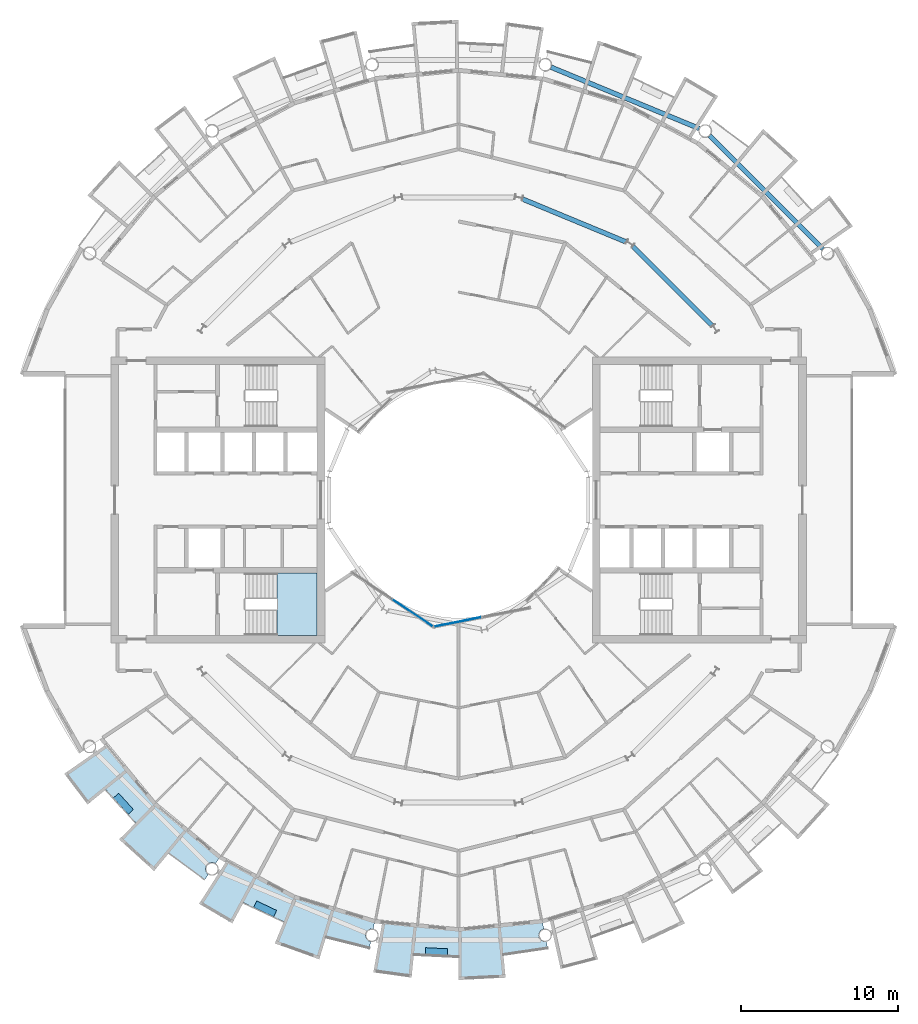
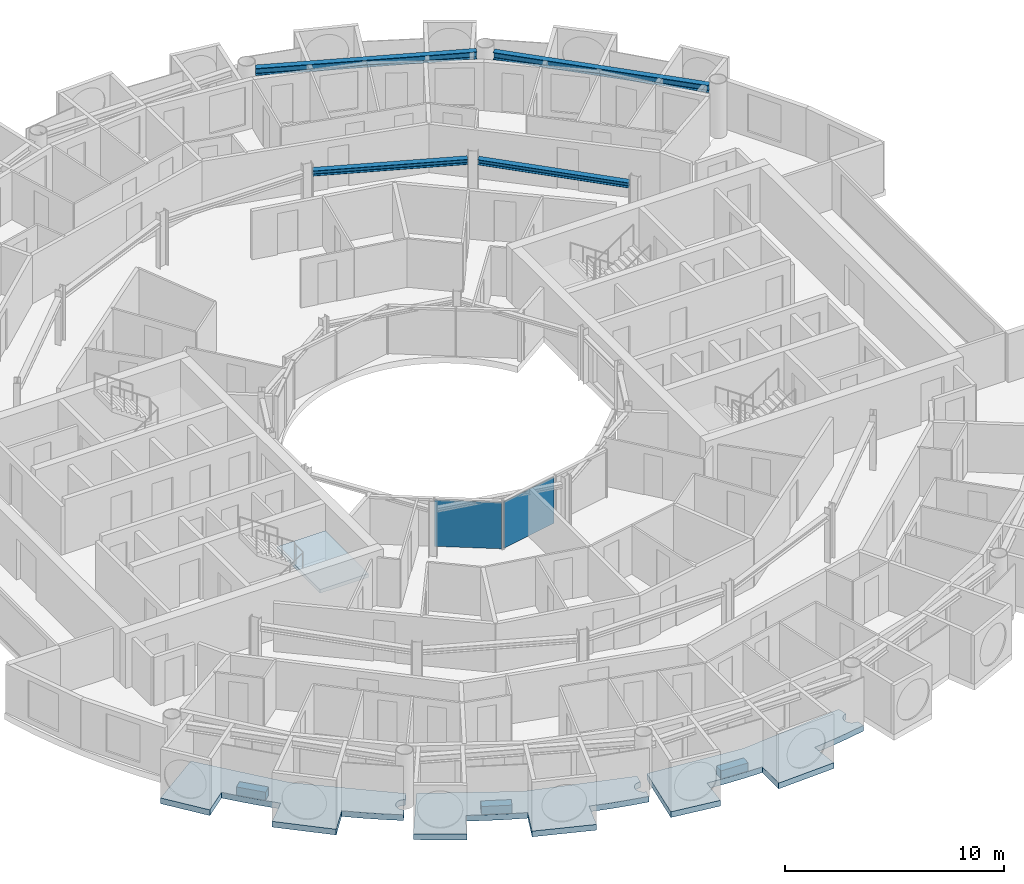
# One storey, part 10 of 26: 7 slabs, 4 beams, 2 plates, 3 elements without a shape of their own.
"""IFC4 building model written with IfcOpenShell, lengths in metres."""

from ifc_helpers import new_model, si_unit, direction, frame, origin, origin_2d, place, context, subcontext, project, spatial, polyline, rectangle, i_section, outline, extrude, material, layer, layer_set, material_profile, profile_set, type_object, element, aggregate, save


model = new_model("IFC4")

# Units and contexts
model_context = context("Model", 3, precision=1e-05, world=origin(), true_north=direction((0.0, 1.0)))
body_context = subcontext(model_context, "Body", "Model", "MODEL_VIEW")
ifc_project = project(units=[si_unit("LENGTHUNIT", "METRE"), si_unit("AREAUNIT", "SQUARE_METRE"), si_unit("VOLUMEUNIT", "CUBIC_METRE"), si_unit("PLANEANGLEUNIT", "RADIAN"), si_unit("MASSUNIT", "GRAM", prefix="KILO")], contexts=[model_context])

# Site, building, storey
site_placement = place(None, origin())
site = spatial("IfcSite", under=ifc_project, at=site_placement, CompositionType="ELEMENT")
building_placement = place(site_placement, origin())
building = spatial("IfcBuilding", under=site, at=building_placement, Name="Maasbend Ring Residences", CompositionType="ELEMENT")
storey_placement = place(building_placement, frame((0.0, 0.0, 161.60009765625)))
storey = spatial("IfcBuildingStorey", under=building, at=storey_placement, Name="L46", CompositionType="ELEMENT", Elevation=161.60009765625)

# Beams
ifc_material_1 = material(Name="Steel S355J2", Category="steel")
ifc_material_profile_1 = material_profile(ifc_material_1, i_section(OverallWidth=0.300048828125, OverallDepth=0.2900390625, WebThickness=0.008544921875, FlangeThickness=0.013916015625, FilletRadius=0.027099609375, at=origin_2d()), Name="HEA 300")
ifc_profile_set_1 = profile_set([ifc_material_profile_1], Name="Steel S355J2")
beam_type_1 = type_object("IfcBeamType", Name="Corridor ring beam HEA 300", PredefinedType="BEAM", material=ifc_profile_set_1)
for number, where, z_axis, x_axis, name in (
    (1, (16.11669921875, 11.0693359375, 2.554931640625), (-0.707106781187, 0.707106781187, 0.0), (-0.707106781187, -0.707106781187, 0.0), "Corridor ring beam"),
    (2, (10.65380859375, 16.394287109375, 2.554931640625), (-0.923871339849, 0.382703210602, 0.0), (-0.382703210602, -0.923871339849, 0.0), "Corridor ring beam"),
):
    element("IfcBeam", number, at=place(storey_placement, frame(where, z_axis=z_axis, x_axis=x_axis)), inside=storey, type_object=beam_type_1, Name=name, PredefinedType="BEAM", context=body_context, shape_type="SweptSolid", body=[
        extrude(i_section(OverallWidth=0.300048828125, OverallDepth=0.2900390625, WebThickness=0.008544921875, FlangeThickness=0.013916015625, FilletRadius=0.027099609375, at=origin_2d()), origin(), (0.0, 0.0, 1.0), 7.137939453125),
    ])
ifc_material_2 = material(Name="Steel S355J2", Category="steel")
ifc_material_profile_2 = material_profile(ifc_material_2, i_section(OverallWidth=0.300048828125, OverallDepth=0.39990234375, WebThickness=0.013427734375, FlangeThickness=0.02392578125, FilletRadius=0.027099609375, at=origin_2d()), Name="HEB 400")
ifc_profile_set_2 = profile_set([ifc_material_profile_2], Name="Steel S355J2")
beam_type_2 = type_object("IfcBeamType", Name="Spandrel ring beam HEB 400", PredefinedType="SPANDREL", material=ifc_profile_set_2)
for number, where, z_axis, x_axis, name in (
    (3, (23.159912109375, 15.95458984375, 2.5), (-0.707106781187, 0.707106781187, 0.0), (-0.707106781187, -0.707106781187, 0.0), "Spandrel ring beam"),
    (4, (15.29150390625, 23.60302734375, 2.5), (-0.923883676188, 0.382673428492, 0.0), (-0.382673428492, -0.923883676188, 0.0), "Spandrel ring beam"),
):
    element("IfcBeam", number, at=place(storey_placement, frame(where, z_axis=z_axis, x_axis=x_axis)), inside=storey, type_object=beam_type_2, Name=name, PredefinedType="SPANDREL", context=body_context, shape_type="SweptSolid", body=[
        extrude(i_section(OverallWidth=0.300048828125, OverallDepth=0.39990234375, WebThickness=0.013427734375, FlangeThickness=0.02392578125, FilletRadius=0.027099609375, at=origin_2d()), origin(), (0.0, 0.0, 1.0), 10.18994140625),
    ])

# Stair, slab
ifc_material_3 = material(Name="Concrete C40/50", Category="concrete")
stair_type = type_object("IfcStairType", Name="CORE STAIR 18 RISERS", PredefinedType="HALF_TURN_STAIR", material=ifc_material_3)
stair_placement = place(storey_placement, origin())
stair = element("IfcStair", 5, at=stair_placement, inside=storey, type_object=stair_type, Name="L46 Exit stair ST-W1", PredefinedType="HALF_TURN_STAIR")
ifc_material_4 = material(Name="Concrete C40/50", Category="concrete")
ifc_layer_1 = layer(ifc_material_4, 0.199951171875)
ifc_layer_set_1 = layer_set([ifc_layer_1], Name="Concrete C40/50")
slab_type_1 = type_object("IfcSlabType", Name="CORE STAIR LANDING 200", PredefinedType="LANDING", material=ifc_layer_set_1)
slab_1_placement = place(storey_placement, frame((0.0, 0.0, 1.324951171875)))
slab_1 = element("IfcSlab", 6, at=slab_1_placement, type_object=slab_type_1, Name="ST-W1 landing 1", PredefinedType="LANDING", context=body_context, shape_type="SweptSolid", body=[
    extrude(outline(polyline([(-11.550048828125, -8.60009765625), (-9.0, -8.60009765625), (-9.0, -4.64990234375), (-11.550048828125, -4.64990234375), (-11.550048828125, -8.60009765625)])), origin(), (0.0, 0.0, 1.0), 0.199951171875),
])
aggregate(stair, [slab_1])

# Curtain wall, plate
ifc_material_5 = material(Name="Aluminium and clear glass", Category="aluminium")
ifc_layer_2 = layer(ifc_material_5, 0.179931640625)
ifc_layer_set_2 = layer_set([ifc_layer_2], Name="CW-W")
curtain_wall_type = type_object("IfcCurtainWallType", Name="CW-W", PredefinedType="NOTDEFINED", material=ifc_layer_set_2)
curtain_wall_1_placement = place(storey_placement, origin())
curtain_wall_1 = element("IfcCurtainWall", 7, at=curtain_wall_1_placement, inside=storey, type_object=curtain_wall_type, Name="Well curtain wall S1", PredefinedType="NOTDEFINED")
ifc_material_6 = material(Name="Glass clear laminated", Category="glass")
ifc_layer_3 = layer(ifc_material_6, 0.031982421875)
ifc_layer_set_3 = layer_set([ifc_layer_3], Name="CWP-W")
plate_type = type_object("IfcPlateType", Name="CWP-W", PredefinedType="CURTAIN_PANEL", material=ifc_layer_set_3)
plate_1_placement = place(storey_placement, frame((-2.922119140625, -7.17578125, -0.000244140625), z_axis=(0.0, 0.0, 1.0), x_axis=(0.831469612303, -0.55557023302, 0.0)))
plate_1 = element("IfcPlate", 8, at=plate_1_placement, type_object=plate_type, Name="Glass panel well face", PredefinedType="CURTAIN_PANEL", context=body_context, shape_type="SweptSolid", body=[
    extrude(rectangle(XDim=3.053955078125, YDim=0.031982421875, at=origin_2d()), origin(), (0.0, 0.0, 1.0), 2.580078125),
])
aggregate(curtain_wall_1, [plate_1])

curtain_wall_2_placement = place(storey_placement, origin())
curtain_wall_2 = element("IfcCurtainWall", 9, at=curtain_wall_2_placement, inside=storey, type_object=curtain_wall_type, Name="Well curtain wall S2", PredefinedType="NOTDEFINED")
plate_2_placement = place(storey_placement, frame((-0.04638671875, -7.747802734375, -0.000244140625), z_axis=(0.0, 0.0, 1.0), x_axis=(0.980785280403, 0.195090322016, 0.0)))
plate_2 = element("IfcPlate", 10, at=plate_2_placement, type_object=plate_type, Name="Glass panel well face", PredefinedType="CURTAIN_PANEL", context=body_context, shape_type="SweptSolid", body=[
    extrude(rectangle(XDim=3.053955078125, YDim=0.031982421875, at=origin_2d()), origin(), (0.0, 0.0, 1.0), 2.580078125),
])
aggregate(curtain_wall_2, [plate_2])

# Slabs
ifc_material_7 = material(Name="Planting with climbing greenery")
ifc_layer_4 = layer(ifc_material_7, 0.449951171875)
ifc_layer_set_4 = layer_set([ifc_layer_4], Name="PLANTER-LG")
slab_type_2 = type_object("IfcSlabType", Name="PLANTER-LG", PredefinedType="USERDEFINED", material=ifc_layer_set_4)
slab_2_placement = place(storey_placement, frame((0.0, 0.0, -0.030029296875)))
element("IfcSlab", 11, at=slab_2_placement, inside=storey, type_object=slab_type_2, Name="Planter with climbing greenery 1", ObjectType="PLANTER", PredefinedType="USERDEFINED", context=body_context, shape_type="SweptSolid", body=[
    extrude(outline(polyline([(-21.931884765625, -18.93310546875), (-20.991943359375, -19.969970703125), (-20.657958984375, -19.66796875), (-21.597900390625, -18.631103515625), (-21.931884765625, -18.93310546875)])), origin(), (0.0, 0.0, 1.0), 0.449951171875),
])
slab_3_placement = place(storey_placement, frame((0.0, 0.0, -0.030029296875)))
element("IfcSlab", 12, at=slab_3_placement, inside=storey, type_object=slab_type_2, Name="Planter with climbing greenery 2", ObjectType="PLANTER", PredefinedType="USERDEFINED", context=body_context, shape_type="SweptSolid", body=[
    extrude(outline(polyline([(-13.01708984375, -25.885009765625), (-11.7509765625, -26.48291015625), (-11.55908203125, -26.076904296875), (-12.824951171875, -25.47802734375), (-13.01708984375, -25.885009765625)])), origin(), (0.0, 0.0, 1.0), 0.449951171875),
])
slab_4_placement = place(storey_placement, frame((0.0, 0.0, -0.030029296875)))
element("IfcSlab", 13, at=slab_4_placement, inside=storey, type_object=slab_type_2, Name="Planter with climbing greenery 3", ObjectType="PLANTER", PredefinedType="USERDEFINED", context=body_context, shape_type="SweptSolid", body=[
    extrude(outline(polyline([(-2.1201171875, -28.89599609375), (-0.721923828125, -28.965087890625), (-0.699951171875, -28.514892578125), (-2.097900390625, -28.446044921875), (-2.1201171875, -28.89599609375)])), origin(), (0.0, 0.0, 1.0), 0.449951171875),
])
ifc_material_8 = material(Name="Concrete C40/50", Category="concrete")
ifc_layer_5 = layer(ifc_material_8, 0.199951171875)
ifc_layer_set_5 = layer_set([ifc_layer_5], Name="Concrete C40/50")
slab_type_3 = type_object("IfcSlabType", Name="SL-LOGGIA", PredefinedType="FLOOR", material=ifc_layer_set_5)
slab_5_placement = place(storey_placement, frame((0.0, 0.0, -0.35009765625)))
element("IfcSlab", 14, at=slab_5_placement, inside=storey, type_object=slab_type_3, Name="Loggia floor 2", PredefinedType="FLOOR", context=body_context, shape_type="SweptSolid", body=[
    extrude(outline(polyline([(-12.806884765625, -23.9609375), (-10.447021484375, -25.221923828125), (-10.447021484375, -25.221923828125), (-10.447021484375, -25.221923828125), (-7.886962890625, -25.9990234375), (-5.325927734375, -26.77490234375), (-5.325927734375, -26.77490234375), (-5.325927734375, -26.77490234375), (-5.422119140625, -27.259033203125), (-5.431884765625, -27.258056640625), (-5.44189453125, -27.256103515625), (-5.451904296875, -27.2548828125), (-5.4619140625, -27.25390625), (-5.471923828125, -27.2529296875), (-5.48193359375, -27.251953125), (-5.491943359375, -27.251953125), (-5.501953125, -27.251953125), (-5.510986328125, -27.251953125), (-5.52099609375, -27.251953125), (-5.531005859375, -27.2529296875), (-5.541015625, -27.25390625), (-5.551025390625, -27.2548828125), (-5.56103515625, -27.256103515625), (-5.571044921875, -27.258056640625), (-5.5810546875, -27.259033203125), (-5.591064453125, -27.260986328125), (-5.60009765625, -27.263916015625), (-5.610107421875, -27.26611328125), (-5.6201171875, -27.26904296875), (-5.62890625, -27.27197265625), (-5.637939453125, -27.27490234375), (-5.64794921875, -27.279052734375), (-5.656982421875, -27.282958984375), (-5.666015625, -27.285888671875), (-5.675048828125, -27.291015625), (-5.68408203125, -27.294921875), (-5.693115234375, -27.300048828125), (-5.701904296875, -27.303955078125), (-5.7099609375, -27.30908203125), (-5.718994140625, -27.31494140625), (-5.72705078125, -27.320068359375), (-5.736083984375, -27.325927734375), (-5.743896484375, -27.33203125), (-5.751953125, -27.337890625), (-5.759033203125, -27.343994140625), (-5.76708984375, -27.35009765625), (-5.77392578125, -27.35693359375), (-5.781982421875, -27.364013671875), (-5.7890625, -27.37109375), (-5.7958984375, -27.3779296875), (-5.802978515625, -27.385009765625), (-5.80908203125, -27.39306640625), (-5.81591796875, -27.39990234375), (-5.822021484375, -27.407958984375), (-5.827880859375, -27.416015625), (-5.833984375, -27.424072265625), (-5.839111328125, -27.431884765625), (-5.844970703125, -27.44091796875), (-5.85009765625, -27.448974609375), (-5.85498046875, -27.4580078125), (-5.860107421875, -27.466064453125), (-5.864990234375, -27.47509765625), (-5.868896484375, -27.48388671875), (-5.873046875, -27.492919921875), (-5.876953125, -27.5029296875), (-5.881103515625, -27.511962890625), (-5.884033203125, -27.52099609375), (-5.886962890625, -27.531005859375), (-5.889892578125, -27.5400390625), (-5.89306640625, -27.550048828125), (-5.89599609375, -27.55908203125), (-5.89794921875, -27.569091796875), (-5.89990234375, -27.5791015625), (-5.902099609375, -27.589111328125), (-5.904052734375, -27.597900390625), (-5.905029296875, -27.60791015625), (-5.906005859375, -27.617919921875), (-5.906982421875, -27.6279296875), (-5.907958984375, -27.637939453125), (-5.907958984375, -27.64794921875), (-5.907958984375, -27.657958984375), (-5.907958984375, -27.66796875), (-5.907958984375, -27.677978515625), (-5.906982421875, -27.68798828125), (-5.906005859375, -27.697998046875), (-5.905029296875, -27.7080078125), (-5.904052734375, -27.718017578125), (-5.902099609375, -27.72802734375), (-5.89990234375, -27.737060546875), (-5.89794921875, -27.7470703125), (-5.89599609375, -27.757080078125), (-5.89306640625, -27.76708984375), (-5.889892578125, -27.77587890625), (-5.886962890625, -27.785888671875), (-5.884033203125, -27.794921875), (-5.881103515625, -27.803955078125), (-5.876953125, -27.81396484375), (-5.873046875, -27.822998046875), (-5.868896484375, -27.83203125), (-5.864990234375, -27.841064453125), (-5.860107421875, -27.85009765625), (-5.85498046875, -27.85791015625), (-5.85009765625, -27.866943359375), (-5.844970703125, -27.8759765625), (-5.839111328125, -27.884033203125), (-5.833984375, -27.89208984375), (-5.827880859375, -27.89990234375), (-5.822021484375, -27.907958984375), (-5.81591796875, -27.916015625), (-5.80908203125, -27.924072265625), (-5.802978515625, -27.930908203125), (-5.7958984375, -27.93798828125), (-5.7890625, -27.946044921875), (-5.781982421875, -27.952880859375), (-5.77392578125, -27.958984375), (-5.76708984375, -27.966064453125), (-5.759033203125, -27.971923828125), (-5.751953125, -27.97900390625), (-5.743896484375, -27.985107421875), (-5.736083984375, -27.989990234375), (-5.72705078125, -27.99609375), (-5.718994140625, -28.001953125), (-5.7099609375, -28.007080078125), (-5.701904296875, -28.011962890625), (-5.693115234375, -28.01708984375), (-5.68408203125, -28.02099609375), (-5.675048828125, -28.02587890625), (-5.666015625, -28.030029296875), (-5.656982421875, -28.033935546875), (-5.64794921875, -28.037109375), (-5.637939453125, -28.041015625), (-5.62890625, -28.0439453125), (-5.6201171875, -28.047119140625), (-5.610107421875, -28.050048828125), (-5.60009765625, -28.052001953125), (-5.591064453125, -28.054931640625), (-5.5810546875, -28.056884765625), (-5.657958984375, -28.443115234375), (-5.657958984375, -28.443115234375), (-5.657958984375, -28.443115234375), (-6.5849609375, -28.241943359375), (-6.5849609375, -28.241943359375), (-7.506103515625, -28.011962890625), (-7.506103515625, -28.011962890625), (-8.41796875, -27.7509765625), (-8.41796875, -27.7509765625), (-8.41796875, -27.7509765625), (-8.41796875, -27.7509765625), (-8.41796875, -27.7509765625), (-8.41796875, -27.7509765625), (-8.41796875, -27.7509765625), (-8.41796875, -27.7509765625), (-8.41796875, -27.7509765625), (-8.41796875, -27.7509765625), (-8.41796875, -27.751953125), (-8.41796875, -27.751953125), (-8.41796875, -27.751953125), (-8.41796875, -27.751953125), (-8.41796875, -27.751953125), (-8.41796875, -27.751953125), (-8.41796875, -27.751953125), (-8.85400390625, -29.18701171875), (-8.85400390625, -29.18701171875), (-8.85400390625, -29.18701171875), (-11.672119140625, -28.177978515625), (-11.672119140625, -28.177978515625), (-11.672119140625, -28.177978515625), (-11.097900390625, -26.79296875), (-11.097900390625, -26.79296875), (-11.097900390625, -26.79296875), (-11.097900390625, -26.79296875), (-11.097900390625, -26.79296875), (-11.097900390625, -26.79296875), (-11.097900390625, -26.79296875), (-11.097900390625, -26.79296875), (-11.097900390625, -26.79296875), (-11.097900390625, -26.79296875), (-11.097900390625, -26.7919921875), (-11.097900390625, -26.7919921875), (-11.097900390625, -26.7919921875), (-11.097900390625, -26.7919921875), (-11.097900390625, -26.7919921875), (-11.097900390625, -26.7919921875), (-11.097900390625, -26.7919921875), (-11.968994140625, -26.4150390625), (-11.968994140625, -26.4150390625), (-12.825927734375, -26.009033203125), (-12.825927734375, -26.009033203125), (-13.669921875, -25.575927734375), (-13.669921875, -25.575927734375), (-13.669921875, -25.575927734375), (-13.669921875, -25.575927734375), (-13.669921875, -25.575927734375), (-13.669921875, -25.575927734375), (-13.669921875, -25.575927734375), (-13.669921875, -25.575927734375), (-13.669921875, -25.575927734375), (-13.669921875, -25.575927734375), (-13.6708984375, -25.575927734375), (-13.6708984375, -25.575927734375), (-13.6708984375, -25.575927734375), (-13.6708984375, -25.575927734375), (-13.6708984375, -25.575927734375), (-13.6708984375, -25.575927734375), (-13.6708984375, -25.575927734375), (-14.3779296875, -26.89892578125), (-14.3779296875, -26.89892578125), (-14.3779296875, -26.89892578125), (-16.487060546875, -25.659912109375), (-16.487060546875, -25.659912109375), (-16.487060546875, -25.659912109375), (-14.73291015625, -22.930908203125), (-14.73291015625, -22.930908203125), (-14.73291015625, -22.930908203125), (-12.806884765625, -23.9609375)])), origin(), (0.0, 0.0, 1.0), 0.320068359375),
])
slab_6_placement = place(storey_placement, frame((0.0, 0.0, -0.35009765625)))
element("IfcSlab", 15, at=slab_6_placement, inside=storey, type_object=slab_type_3, Name="Loggia floor 3", PredefinedType="FLOOR", context=body_context, shape_type="SweptSolid", body=[
    extrude(outline(polyline([(-2.6630859375, -27.0380859375), (0.0, -27.300048828125), (0.0, -27.300048828125), (0.0, -27.300048828125), (2.6630859375, -27.0380859375), (5.325927734375, -26.77490234375), (5.325927734375, -26.77490234375), (5.325927734375, -26.77490234375), (5.422119140625, -27.259033203125), (5.422119140625, -27.259033203125), (5.412109375, -27.260986328125), (5.403076171875, -27.263916015625), (5.39306640625, -27.26611328125), (5.383056640625, -27.26904296875), (5.3740234375, -27.27197265625), (5.364990234375, -27.27490234375), (5.35498046875, -27.279052734375), (5.345947265625, -27.282958984375), (5.3369140625, -27.285888671875), (5.327880859375, -27.291015625), (5.319091796875, -27.294921875), (5.31005859375, -27.300048828125), (5.301025390625, -27.303955078125), (5.29296875, -27.30908203125), (5.283935546875, -27.31494140625), (5.27587890625, -27.320068359375), (5.26708984375, -27.325927734375), (5.259033203125, -27.33203125), (5.2509765625, -27.337890625), (5.243896484375, -27.343994140625), (5.236083984375, -27.35009765625), (5.22900390625, -27.35693359375), (5.220947265625, -27.364013671875), (5.214111328125, -27.37109375), (5.20703125, -27.3779296875), (5.199951171875, -27.385009765625), (5.194091796875, -27.39306640625), (5.18701171875, -27.39990234375), (5.180908203125, -27.407958984375), (5.175048828125, -27.416015625), (5.1689453125, -27.424072265625), (5.1640625, -27.431884765625), (5.157958984375, -27.44091796875), (5.153076171875, -27.448974609375), (5.14794921875, -27.4580078125), (5.14306640625, -27.466064453125), (5.137939453125, -27.47509765625), (5.134033203125, -27.48388671875), (5.1298828125, -27.492919921875), (5.1259765625, -27.5029296875), (5.1220703125, -27.511962890625), (5.118896484375, -27.52099609375), (5.115966796875, -27.531005859375), (5.113037109375, -27.5400390625), (5.110107421875, -27.550048828125), (5.10693359375, -27.55908203125), (5.10498046875, -27.569091796875), (5.10302734375, -27.5791015625), (5.10107421875, -27.589111328125), (5.09912109375, -27.597900390625), (5.097900390625, -27.60791015625), (5.096923828125, -27.617919921875), (5.095947265625, -27.6279296875), (5.094970703125, -27.637939453125), (5.094970703125, -27.64794921875), (5.094970703125, -27.657958984375), (5.094970703125, -27.66796875), (5.094970703125, -27.677978515625), (5.095947265625, -27.68798828125), (5.096923828125, -27.697998046875), (5.097900390625, -27.7080078125), (5.09912109375, -27.718017578125), (5.10107421875, -27.72802734375), (5.10302734375, -27.737060546875), (5.10498046875, -27.7470703125), (5.10693359375, -27.757080078125), (5.110107421875, -27.76708984375), (5.113037109375, -27.77587890625), (5.115966796875, -27.785888671875), (5.118896484375, -27.794921875), (5.1220703125, -27.803955078125), (5.1259765625, -27.81396484375), (5.1298828125, -27.822998046875), (5.134033203125, -27.83203125), (5.137939453125, -27.841064453125), (5.14306640625, -27.85009765625), (5.14794921875, -27.85791015625), (5.153076171875, -27.866943359375), (5.157958984375, -27.8759765625), (5.1640625, -27.884033203125), (5.1689453125, -27.89208984375), (5.175048828125, -27.89990234375), (5.180908203125, -27.907958984375), (5.18701171875, -27.916015625), (5.194091796875, -27.924072265625), (5.199951171875, -27.930908203125), (5.20703125, -27.93798828125), (5.214111328125, -27.946044921875), (5.220947265625, -27.952880859375), (5.22900390625, -27.958984375), (5.236083984375, -27.966064453125), (5.243896484375, -27.971923828125), (5.2509765625, -27.97900390625), (5.259033203125, -27.985107421875), (5.26708984375, -27.989990234375), (5.27587890625, -27.99609375), (5.283935546875, -28.001953125), (5.29296875, -28.007080078125), (5.301025390625, -28.011962890625), (5.31005859375, -28.01708984375), (5.319091796875, -28.02099609375), (5.327880859375, -28.02587890625), (5.3369140625, -28.030029296875), (5.345947265625, -28.033935546875), (5.35498046875, -28.037109375), (5.364990234375, -28.041015625), (5.3740234375, -28.0439453125), (5.383056640625, -28.047119140625), (5.39306640625, -28.050048828125), (5.403076171875, -28.052001953125), (5.412109375, -28.054931640625), (5.422119140625, -28.056884765625), (5.431884765625, -28.05908203125), (5.44189453125, -28.06005859375), (5.451904296875, -28.06201171875), (5.4619140625, -28.06298828125), (5.471923828125, -28.06298828125), (5.48193359375, -28.06396484375), (5.491943359375, -28.06396484375), (5.501953125, -28.06494140625), (5.510986328125, -28.06396484375), (5.52099609375, -28.06396484375), (5.531005859375, -28.06298828125), (5.541015625, -28.06298828125), (5.551025390625, -28.06201171875), (5.56103515625, -28.06005859375), (5.571044921875, -28.05908203125), (5.5810546875, -28.056884765625), (5.5810546875, -28.056884765625), (5.657958984375, -28.443115234375), (5.657958984375, -28.443115234375), (5.657958984375, -28.443115234375), (4.72412109375, -28.613037109375), (4.72412109375, -28.613037109375), (3.784912109375, -28.751953125), (3.784912109375, -28.751953125), (2.843017578125, -28.860107421875), (2.843017578125, -28.860107421875), (2.843017578125, -28.860107421875), (2.843017578125, -28.860107421875), (2.843017578125, -28.860107421875), (2.843017578125, -28.860107421875), (2.843017578125, -28.860107421875), (2.843017578125, -28.860107421875), (2.843017578125, -28.860107421875), (2.843017578125, -28.861083984375), (2.843017578125, -28.861083984375), (2.843017578125, -28.861083984375), (2.843017578125, -28.861083984375), (2.843017578125, -28.861083984375), (2.843017578125, -28.861083984375), (2.843017578125, -28.861083984375), (2.843017578125, -28.861083984375), (2.989990234375, -30.35302734375), (2.989990234375, -30.35302734375), (2.989990234375, -30.35302734375), (0.0, -30.5), (0.0, -30.5), (0.0, -30.5), (0.0, -29.0), (0.0, -29.0), (0.0, -29.0), (0.0, -29.0), (0.0, -29.0), (0.0, -29.0), (0.0, -29.0), (0.0, -29.0), (0.0, -29.0), (0.0, -29.0), (0.0, -29.0), (0.0, -29.0), (0.0, -29.0), (0.0, -29.0), (0.0, -29.0), (0.0, -29.0), (0.0, -29.0), (-0.948974609375, -28.98388671875), (-0.948974609375, -28.98388671875), (-1.89697265625, -28.93798828125), (-1.89697265625, -28.93798828125), (-2.842041015625, -28.860107421875), (-2.842041015625, -28.860107421875), (-2.842041015625, -28.860107421875), (-2.842041015625, -28.860107421875), (-2.842041015625, -28.860107421875), (-2.842041015625, -28.860107421875), (-2.842041015625, -28.860107421875), (-2.842041015625, -28.860107421875), (-2.842041015625, -28.861083984375), (-2.842041015625, -28.861083984375), (-2.842041015625, -28.861083984375), (-2.842041015625, -28.861083984375), (-2.842041015625, -28.861083984375), (-2.843017578125, -28.861083984375), (-2.843017578125, -28.861083984375), (-2.843017578125, -28.861083984375), (-2.843017578125, -28.861083984375), (-2.989990234375, -30.35302734375), (-2.989990234375, -30.35302734375), (-2.989990234375, -30.35302734375), (-5.412109375, -30.01611328125), (-5.412109375, -30.01611328125), (-5.412109375, -30.01611328125), (-4.8359375, -26.823974609375), (-4.8359375, -26.823974609375), (-4.8359375, -26.823974609375), (-2.6630859375, -27.0380859375)])), origin(), (0.0, 0.0, 1.0), 0.320068359375),
])
slab_7_placement = place(storey_placement, frame((0.0, 0.0, -0.35009765625)))
element("IfcSlab", 16, at=slab_7_placement, inside=storey, type_object=slab_type_3, Name="Loggia floor 5", PredefinedType="FLOOR", context=body_context, shape_type="SweptSolid", body=[
    extrude(outline(polyline([(-21.001953125, -17.236083984375), (-19.303955078125, -19.303955078125), (-19.303955078125, -19.303955078125), (-19.303955078125, -19.303955078125), (-17.236083984375, -21.001953125), (-15.1669921875, -22.698974609375), (-15.1669921875, -22.698974609375), (-15.1669921875, -22.698974609375), (-15.44091796875, -23.10888671875), (-15.44091796875, -23.10888671875), (-15.449951171875, -23.10400390625), (-15.4580078125, -23.09912109375), (-15.467041015625, -23.093994140625), (-15.47509765625, -23.089111328125), (-15.48388671875, -23.083984375), (-15.492919921875, -23.080078125), (-15.501953125, -23.075927734375), (-15.511962890625, -23.072021484375), (-15.52099609375, -23.068115234375), (-15.530029296875, -23.06494140625), (-15.5400390625, -23.06103515625), (-15.549072265625, -23.05810546875), (-15.55908203125, -23.055908203125), (-15.568115234375, -23.052978515625), (-15.577880859375, -23.051025390625), (-15.587890625, -23.049072265625), (-15.597900390625, -23.047119140625), (-15.60693359375, -23.044921875), (-15.616943359375, -23.0439453125), (-15.626953125, -23.04296875), (-15.636962890625, -23.0419921875), (-15.64697265625, -23.041015625), (-15.656982421875, -23.041015625), (-15.6669921875, -23.041015625), (-15.677001953125, -23.041015625), (-15.68701171875, -23.041015625), (-15.697021484375, -23.0419921875), (-15.70703125, -23.04296875), (-15.717041015625, -23.0439453125), (-15.72705078125, -23.044921875), (-15.737060546875, -23.047119140625), (-15.74609375, -23.049072265625), (-15.756103515625, -23.051025390625), (-15.76611328125, -23.052978515625), (-15.77587890625, -23.055908203125), (-15.784912109375, -23.05810546875), (-15.794921875, -23.06103515625), (-15.803955078125, -23.06494140625), (-15.81298828125, -23.068115234375), (-15.822998046875, -23.072021484375), (-15.83203125, -23.075927734375), (-15.841064453125, -23.080078125), (-15.85009765625, -23.083984375), (-15.85888671875, -23.089111328125), (-15.866943359375, -23.093994140625), (-15.8759765625, -23.09912109375), (-15.885009765625, -23.10400390625), (-15.89306640625, -23.10888671875), (-15.90087890625, -23.114990234375), (-15.908935546875, -23.12109375), (-15.9169921875, -23.126953125), (-15.925048828125, -23.133056640625), (-15.93310546875, -23.139892578125), (-15.93994140625, -23.14599609375), (-15.947021484375, -23.153076171875), (-15.955078125, -23.159912109375), (-15.9619140625, -23.1669921875), (-15.968017578125, -23.174072265625), (-15.97509765625, -23.181884765625), (-15.98095703125, -23.18994140625), (-15.988037109375, -23.197021484375), (-15.993896484375, -23.205078125), (-15.9990234375, -23.212890625), (-16.0048828125, -23.221923828125), (-16.010986328125, -23.22998046875), (-16.01611328125, -23.238037109375), (-16.02099609375, -23.2470703125), (-16.02587890625, -23.256103515625), (-16.030029296875, -23.264892578125), (-16.034912109375, -23.27392578125), (-16.0390625, -23.282958984375), (-16.04296875, -23.2919921875), (-16.0458984375, -23.301025390625), (-16.050048828125, -23.31005859375), (-16.052978515625, -23.320068359375), (-16.055908203125, -23.3291015625), (-16.05908203125, -23.339111328125), (-16.06103515625, -23.34912109375), (-16.06396484375, -23.35791015625), (-16.06591796875, -23.367919921875), (-16.068115234375, -23.3779296875), (-16.069091796875, -23.387939453125), (-16.071044921875, -23.39794921875), (-16.072021484375, -23.407958984375), (-16.072021484375, -23.4169921875), (-16.072998046875, -23.427001953125), (-16.072998046875, -23.43701171875), (-16.073974609375, -23.447021484375), (-16.072998046875, -23.45703125), (-16.072998046875, -23.467041015625), (-16.072021484375, -23.47705078125), (-16.072021484375, -23.487060546875), (-16.071044921875, -23.4970703125), (-16.069091796875, -23.507080078125), (-16.068115234375, -23.51708984375), (-16.06591796875, -23.527099609375), (-16.06396484375, -23.535888671875), (-16.06103515625, -23.5458984375), (-16.05908203125, -23.555908203125), (-16.055908203125, -23.56494140625), (-16.052978515625, -23.574951171875), (-16.050048828125, -23.583984375), (-16.0458984375, -23.593994140625), (-16.04296875, -23.60302734375), (-16.0390625, -23.612060546875), (-16.034912109375, -23.62109375), (-16.030029296875, -23.6298828125), (-16.02587890625, -23.638916015625), (-16.02099609375, -23.64794921875), (-16.01611328125, -23.656005859375), (-16.010986328125, -23.6650390625), (-16.0048828125, -23.673095703125), (-15.9990234375, -23.680908203125), (-15.993896484375, -23.68994140625), (-15.988037109375, -23.697021484375), (-15.98095703125, -23.705078125), (-15.97509765625, -23.712890625), (-15.968017578125, -23.719970703125), (-15.9619140625, -23.72802734375), (-15.955078125, -23.735107421875), (-15.947021484375, -23.741943359375), (-15.93994140625, -23.7490234375), (-15.93310546875, -23.7548828125), (-15.925048828125, -23.761962890625), (-15.9169921875, -23.76806640625), (-15.908935546875, -23.77392578125), (-15.90087890625, -23.780029296875), (-15.89306640625, -23.784912109375), (-15.89306640625, -23.784912109375), (-16.112060546875, -24.113037109375), (-16.112060546875, -24.113037109375), (-16.112060546875, -24.113037109375), (-16.89208984375, -23.572998046875), (-16.89208984375, -23.572998046875), (-17.654052734375, -23.007080078125), (-17.654052734375, -23.007080078125), (-18.39697265625, -22.41796875), (-18.39697265625, -22.41796875), (-18.39697265625, -22.41796875), (-18.39697265625, -22.41796875), (-18.39697265625, -22.41796875), (-18.39697265625, -22.41796875), (-18.39697265625, -22.41796875), (-18.39697265625, -22.41796875), (-18.39697265625, -22.41796875), (-18.39697265625, -22.41796875), (-18.39697265625, -22.41796875), (-18.39794921875, -22.41796875), (-18.39794921875, -22.41796875), (-18.39794921875, -22.41796875), (-18.39794921875, -22.41796875), (-18.39794921875, -22.41796875), (-18.39794921875, -22.41796875), (-19.34912109375, -23.576904296875), (-19.34912109375, -23.576904296875), (-19.34912109375, -23.576904296875), (-21.56689453125, -21.56689453125), (-21.56689453125, -21.56689453125), (-21.56689453125, -21.56689453125), (-20.506103515625, -20.506103515625), (-20.506103515625, -20.506103515625), (-20.506103515625, -20.506103515625), (-20.506103515625, -20.506103515625), (-20.506103515625, -20.506103515625), (-20.506103515625, -20.506103515625), (-20.506103515625, -20.506103515625), (-20.506103515625, -20.506103515625), (-20.506103515625, -20.506103515625), (-20.506103515625, -20.506103515625), (-20.506103515625, -20.506103515625), (-20.506103515625, -20.506103515625), (-20.506103515625, -20.506103515625), (-20.506103515625, -20.506103515625), (-20.506103515625, -20.506103515625), (-20.506103515625, -20.506103515625), (-20.506103515625, -20.506103515625), (-21.166015625, -19.823974609375), (-21.166015625, -19.823974609375), (-21.802978515625, -19.12109375), (-21.802978515625, -19.12109375), (-22.4169921875, -18.39794921875), (-22.4169921875, -18.39794921875), (-22.4169921875, -18.39794921875), (-22.4169921875, -18.39794921875), (-22.4169921875, -18.39794921875), (-22.4169921875, -18.39794921875), (-22.4169921875, -18.39794921875), (-22.4169921875, -18.39794921875), (-22.4169921875, -18.39794921875), (-22.4169921875, -18.39794921875), (-22.4169921875, -18.39794921875), (-22.4169921875, -18.39794921875), (-22.41796875, -18.39794921875), (-22.41796875, -18.39794921875), (-22.41796875, -18.39794921875), (-22.41796875, -18.39794921875), (-22.41796875, -18.39794921875), (-23.576904296875, -19.34912109375), (-23.576904296875, -19.34912109375), (-23.576904296875, -19.34912109375), (-25.051025390625, -17.39794921875), (-25.051025390625, -17.39794921875), (-25.051025390625, -17.39794921875), (-22.386962890625, -15.547119140625), (-22.386962890625, -15.547119140625), (-22.386962890625, -15.547119140625), (-21.001953125, -17.236083984375)])), origin(), (0.0, 0.0, 1.0), 0.320068359375),
])

save(model, "model.ifc")
